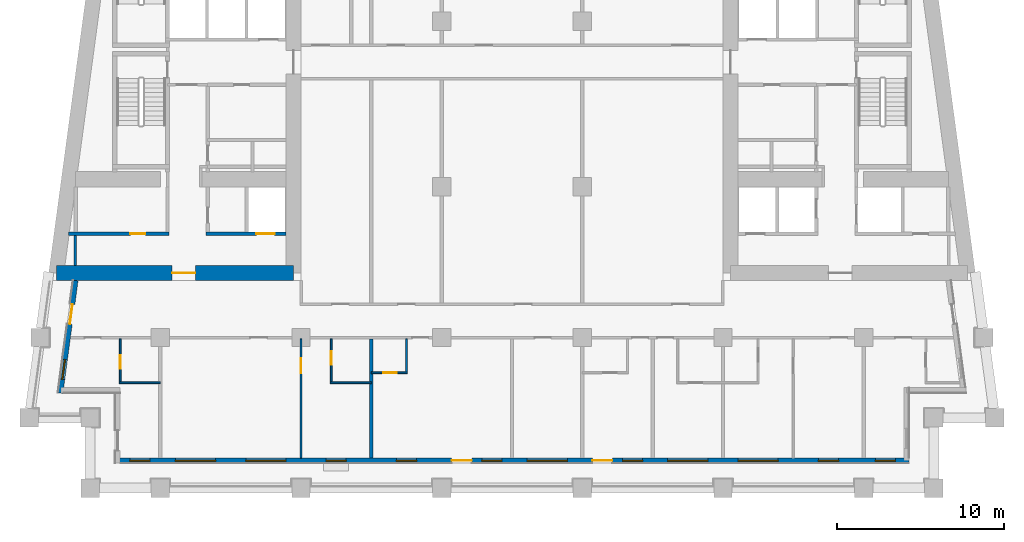
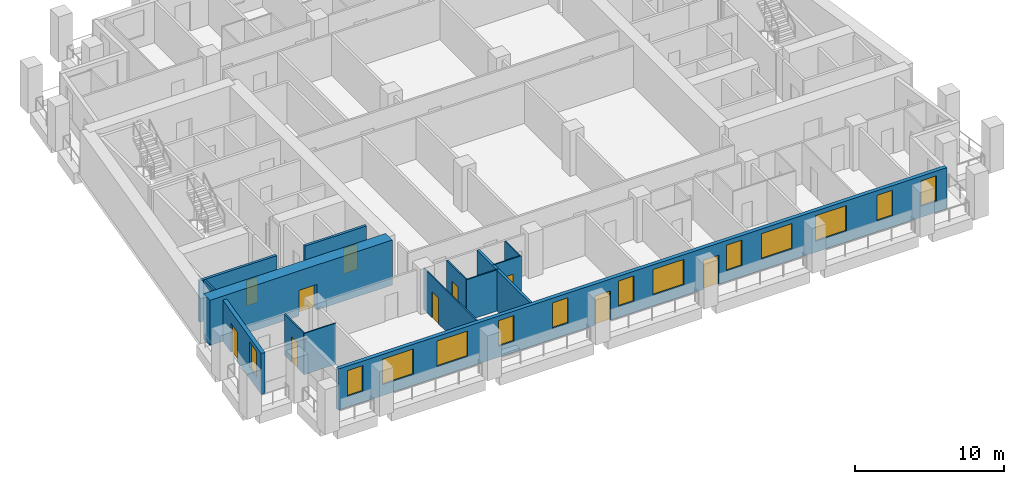
# One storey, part 2 of 12: 14 walls, 13 windows, 10 doors, 23 openings.
"""IFC4 building model written with IfcOpenShell, lengths in metres."""

from ifc_helpers import new_model, si_unit, direction, frame, frame_2d, origin, place, context, subcontext, project, spatial, rectangle, extrude, material, layer, layer_set, type_object, element, fill, save


model = new_model("IFC4")

# Units and contexts
model_context = context("Model", 3, precision=1e-05, world=origin(), true_north=direction((0.0, 1.0)))
body_context = subcontext(model_context, "Body", "Model", "MODEL_VIEW")
ifc_project = project(units=[si_unit("LENGTHUNIT", "METRE"), si_unit("AREAUNIT", "SQUARE_METRE"), si_unit("VOLUMEUNIT", "CUBIC_METRE"), si_unit("PLANEANGLEUNIT", "RADIAN"), si_unit("MASSUNIT", "GRAM", prefix="KILO")], contexts=[model_context])

# Site, building, storey
site_placement = place(None, origin())
site = spatial("IfcSite", under=ifc_project, at=site_placement, CompositionType="ELEMENT")
building_placement = place(site_placement, origin())
building = spatial("IfcBuilding", under=site, at=building_placement, Name="Candeia Pilgrim Tower and Theatre", CompositionType="ELEMENT")
storey_placement = place(building_placement, frame((0.0, 0.0, 184.800048828125)))
storey = spatial("IfcBuildingStorey", under=building, at=storey_placement, Name="L44", CompositionType="ELEMENT", Elevation=184.800048828125)

# Wall, opening, door
ifc_material_1 = material(Name="Concrete C60/75", Category="concrete")
ifc_layer_1 = layer(ifc_material_1, 0.89990234375)
ifc_layer_set_1 = layer_set([ifc_layer_1], Name="Core wall 900 C60/75")
wall_type_1 = type_object("IfcWallType", Name="Core wall 900 C60/75", PredefinedType="SHEAR", material=ifc_layer_set_1)
wall_1_placement = place(storey_placement, frame((100.35009765625, 110.85009765625, 0.0), z_axis=(0.0, 0.0, 1.0), x_axis=(-1.0, 0.0, 0.0)))
wall_1 = element("IfcWall", 1, at=wall_1_placement, inside=storey, type_object=wall_type_1, Name="Core wall W3", PredefinedType="SHEAR", context=body_context, shape_type="SweptSolid", body=[
    extrude(rectangle(XDim=14.166259765625, YDim=0.89990234375, at=frame_2d((7.0830078125, 0.0))), origin(), (0.0, 0.0, 1.0), 3.699951171875),
])
opening_1_placement = place(wall_1_placement, frame((5.854736328125, 0.0, 0.0)))
opening_1 = element("IfcOpeningElement", 2, at=opening_1_placement, cuts=wall_1, Name="Opening L44-D053", PredefinedType="OPENING", context=body_context, shape_type="SweptSolid", body=[
    extrude(rectangle(XDim=1.39990234375, YDim=2.10009765625, at=frame_2d((0.699951171875, 1.050048828125))), frame((0.0, 0.4599609375, 0.0), z_axis=(0.0, -1.0, 0.0), x_axis=(1.0, 0.0, 0.0)), (0.0, 0.0, 1.0), 0.919921875),
])
ifc_material_2 = material(Name="Steel fire door set", Category="steel")
door_type_1 = type_object("IfcDoorType", Name="D-1400-FD60", OperationType="NOTDEFINED", PredefinedType="DOOR", material=ifc_material_2)
door_1_placement = place(opening_1_placement, origin())
door_1 = element("IfcDoor", 3, at=door_1_placement, inside=storey, type_object=door_type_1, Name="Door L44-D053", OperationType="SINGLE_SWING_LEFT", OverallHeight=2.10009765625, OverallWidth=1.39990234375, PredefinedType="DOOR", context=body_context, shape_type="SweptSolid", body=[
    extrude(rectangle(XDim=1.39990234375, YDim=2.10009765625, at=frame_2d((0.699951171875, 1.050048828125))), frame((0.0, 0.02490234375, 0.0), z_axis=(0.0, -1.0, 0.0), x_axis=(1.0, 0.0, 0.0)), (0.0, 0.0, 1.0), 0.050048828125),
])
fill(opening_1, door_1)

# Wall, openings, doors, windows
ifc_material_3 = material(Name="Ceramic block masonry", Category="masonry")
ifc_layer_2 = layer(ifc_material_3, 0.300048828125)
ifc_layer_set_2 = layer_set([ifc_layer_2], Name="EW1 glazing-line wall 300")
wall_type_2 = type_object("IfcWallType", Name="EW1 glazing-line wall 300", PredefinedType="SOLIDWALL", material=ifc_layer_set_2)
wall_2_placement = place(storey_placement, frame((89.85009765625, 99.64990234375, 0.0), z_axis=(0.0, 0.0, 1.0), x_axis=(1.0, 0.0, 0.0)))
wall_2 = element("IfcWall", 4, at=wall_2_placement, inside=storey, type_object=wall_type_2, Name="External wall L44-0.0", PredefinedType="SOLIDWALL", context=body_context, shape_type="SweptSolid", body=[
    extrude(rectangle(XDim=47.25, YDim=0.300048828125, at=frame_2d((23.625, 0.0))), origin(), (0.0, 0.0, 1.0), 3.3798828125),
])
opening_2_placement = place(wall_2_placement, frame((0.72509765625, 0.0, 0.89990234375)))
opening_2 = element("IfcOpeningElement", 5, at=opening_2_placement, cuts=wall_2, Name="Opening W-B", PredefinedType="OPENING", context=body_context, shape_type="SweptSolid", body=[
    extrude(rectangle(XDim=1.199951171875, YDim=2.10009765625, at=frame_2d((0.60009765625, 1.050048828125))), frame((0.0, 0.16015625, 0.0), z_axis=(0.0, -1.0, 0.0), x_axis=(1.0, 0.0, 0.0)), (0.0, 0.0, 1.0), 0.320068359375),
])
opening_3_placement = place(wall_2_placement, frame((3.449951171875, 0.0, 0.89990234375)))
opening_3 = element("IfcOpeningElement", 6, at=opening_3_placement, cuts=wall_2, Name="Opening W-A", PredefinedType="OPENING", context=body_context, shape_type="SweptSolid", body=[
    extrude(rectangle(XDim=2.39990234375, YDim=2.10009765625, at=frame_2d((1.199951171875, 1.050048828125))), frame((0.0, 0.16015625, 0.0), z_axis=(0.0, -1.0, 0.0), x_axis=(1.0, 0.0, 0.0)), (0.0, 0.0, 1.0), 0.320068359375),
])
opening_4_placement = place(wall_2_placement, frame((7.64990234375, 0.0, 0.89990234375)))
opening_4 = element("IfcOpeningElement", 7, at=opening_4_placement, cuts=wall_2, Name="Opening W-A", PredefinedType="OPENING", context=body_context, shape_type="SweptSolid", body=[
    extrude(rectangle(XDim=2.39990234375, YDim=2.10009765625, at=frame_2d((1.199951171875, 1.050048828125))), frame((0.0, 0.16015625, 0.0), z_axis=(0.0, -1.0, 0.0), x_axis=(1.0, 0.0, 0.0)), (0.0, 0.0, 1.0), 0.320068359375),
])
opening_5_placement = place(wall_2_placement, frame((12.449951171875, 0.0, 0.89990234375)))
opening_5 = element("IfcOpeningElement", 8, at=opening_5_placement, cuts=wall_2, Name="Opening W-B", PredefinedType="OPENING", context=body_context, shape_type="SweptSolid", body=[
    extrude(rectangle(XDim=1.199951171875, YDim=2.10009765625, at=frame_2d((0.60009765625, 1.050048828125))), frame((0.0, 0.16015625, 0.0), z_axis=(0.0, -1.0, 0.0), x_axis=(1.0, 0.0, 0.0)), (0.0, 0.0, 1.0), 0.320068359375),
])
opening_6_placement = place(wall_2_placement, frame((16.64990234375, 0.0, 0.89990234375)))
opening_6 = element("IfcOpeningElement", 9, at=opening_6_placement, cuts=wall_2, Name="Opening W-B", PredefinedType="OPENING", context=body_context, shape_type="SweptSolid", body=[
    extrude(rectangle(XDim=1.199951171875, YDim=2.10009765625, at=frame_2d((0.60009765625, 1.050048828125))), frame((0.0, 0.16015625, 0.0), z_axis=(0.0, -1.0, 0.0), x_axis=(1.0, 0.0, 0.0)), (0.0, 0.0, 1.0), 0.320068359375),
])
opening_7_placement = place(wall_2_placement, frame((19.949951171875, 0.0, 0.0)))
opening_7 = element("IfcOpeningElement", 10, at=opening_7_placement, cuts=wall_2, Name="Opening L44-ED420", PredefinedType="OPENING", context=body_context, shape_type="SweptSolid", body=[
    extrude(rectangle(XDim=1.199951171875, YDim=2.39990234375, at=frame_2d((0.60009765625, 1.199951171875))), frame((0.0, 0.16015625, 0.0), z_axis=(0.0, -1.0, 0.0), x_axis=(1.0, 0.0, 0.0)), (0.0, 0.0, 1.0), 0.320068359375),
])
opening_8_placement = place(wall_2_placement, frame((21.75, 0.0, 0.89990234375)))
opening_8 = element("IfcOpeningElement", 11, at=opening_8_placement, cuts=wall_2, Name="Opening W-B", PredefinedType="OPENING", context=body_context, shape_type="SweptSolid", body=[
    extrude(rectangle(XDim=1.199951171875, YDim=2.10009765625, at=frame_2d((0.60009765625, 1.050048828125))), frame((0.0, 0.16015625, 0.0), z_axis=(0.0, -1.0, 0.0), x_axis=(1.0, 0.0, 0.0)), (0.0, 0.0, 1.0), 0.320068359375),
])
opening_9_placement = place(wall_2_placement, frame((24.449951171875, 0.0, 0.89990234375)))
opening_9 = element("IfcOpeningElement", 12, at=opening_9_placement, cuts=wall_2, Name="Opening W-A", PredefinedType="OPENING", context=body_context, shape_type="SweptSolid", body=[
    extrude(rectangle(XDim=2.39990234375, YDim=2.10009765625, at=frame_2d((1.199951171875, 1.050048828125))), frame((0.0, 0.16015625, 0.0), z_axis=(0.0, -1.0, 0.0), x_axis=(1.0, 0.0, 0.0)), (0.0, 0.0, 1.0), 0.320068359375),
])
opening_10_placement = place(wall_2_placement, frame((28.35009765625, 0.0, 0.0)))
opening_10 = element("IfcOpeningElement", 13, at=opening_10_placement, cuts=wall_2, Name="Opening L44-ED421", PredefinedType="OPENING", context=body_context, shape_type="SweptSolid", body=[
    extrude(rectangle(XDim=1.199951171875, YDim=2.39990234375, at=frame_2d((0.60009765625, 1.199951171875))), frame((0.0, 0.16015625, 0.0), z_axis=(0.0, -1.0, 0.0), x_axis=(1.0, 0.0, 0.0)), (0.0, 0.0, 1.0), 0.320068359375),
])
opening_11_placement = place(wall_2_placement, frame((30.14990234375, 0.0, 0.89990234375)))
opening_11 = element("IfcOpeningElement", 14, at=opening_11_placement, cuts=wall_2, Name="Opening W-B", PredefinedType="OPENING", context=body_context, shape_type="SweptSolid", body=[
    extrude(rectangle(XDim=1.199951171875, YDim=2.10009765625, at=frame_2d((0.60009765625, 1.050048828125))), frame((0.0, 0.16015625, 0.0), z_axis=(0.0, -1.0, 0.0), x_axis=(1.0, 0.0, 0.0)), (0.0, 0.0, 1.0), 0.320068359375),
])
opening_12_placement = place(wall_2_placement, frame((32.85009765625, 0.0, 0.89990234375)))
opening_12 = element("IfcOpeningElement", 15, at=opening_12_placement, cuts=wall_2, Name="Opening W-A", PredefinedType="OPENING", context=body_context, shape_type="SweptSolid", body=[
    extrude(rectangle(XDim=2.39990234375, YDim=2.10009765625, at=frame_2d((1.199951171875, 1.050048828125))), frame((0.0, 0.16015625, 0.0), z_axis=(0.0, -1.0, 0.0), x_axis=(1.0, 0.0, 0.0)), (0.0, 0.0, 1.0), 0.320068359375),
])
opening_13_placement = place(wall_2_placement, frame((37.050048828125, 0.0, 0.89990234375)))
opening_13 = element("IfcOpeningElement", 16, at=opening_13_placement, cuts=wall_2, Name="Opening W-A", PredefinedType="OPENING", context=body_context, shape_type="SweptSolid", body=[
    extrude(rectangle(XDim=2.39990234375, YDim=2.10009765625, at=frame_2d((1.199951171875, 1.050048828125))), frame((0.0, 0.16015625, 0.0), z_axis=(0.0, -1.0, 0.0), x_axis=(1.0, 0.0, 0.0)), (0.0, 0.0, 1.0), 0.320068359375),
])
opening_14_placement = place(wall_2_placement, frame((41.85009765625, 0.0, 0.89990234375)))
opening_14 = element("IfcOpeningElement", 17, at=opening_14_placement, cuts=wall_2, Name="Opening W-B", PredefinedType="OPENING", context=body_context, shape_type="SweptSolid", body=[
    extrude(rectangle(XDim=1.199951171875, YDim=2.10009765625, at=frame_2d((0.60009765625, 1.050048828125))), frame((0.0, 0.16015625, 0.0), z_axis=(0.0, -1.0, 0.0), x_axis=(1.0, 0.0, 0.0)), (0.0, 0.0, 1.0), 0.320068359375),
])
opening_15_placement = place(wall_2_placement, frame((45.25, 0.0, 0.89990234375)))
opening_15 = element("IfcOpeningElement", 18, at=opening_15_placement, cuts=wall_2, Name="Opening W-B", PredefinedType="OPENING", context=body_context, shape_type="SweptSolid", body=[
    extrude(rectangle(XDim=1.199951171875, YDim=2.10009765625, at=frame_2d((0.60009765625, 1.050048828125))), frame((0.0, 0.16015625, 0.0), z_axis=(0.0, -1.0, 0.0), x_axis=(1.0, 0.0, 0.0)), (0.0, 0.0, 1.0), 0.320068359375),
])
ifc_material_4 = material(Name="Aluminium framed glazed door", Category="aluminium")
door_type_2 = type_object("IfcDoorType", Name="Loggia door 1200x2400", OperationType="DOUBLE_DOOR_SINGLE_SWING", PredefinedType="DOOR", material=ifc_material_4)
door_2_placement = place(opening_7_placement, origin())
door_2 = element("IfcDoor", 19, at=door_2_placement, inside=storey, type_object=door_type_2, Name="Loggia door L44-ED420", OperationType="DOUBLE_DOOR_SINGLE_SWING", OverallHeight=2.39990234375, OverallWidth=1.199951171875, PredefinedType="DOOR", context=body_context, shape_type="SweptSolid", body=[
    extrude(rectangle(XDim=1.199951171875, YDim=2.39990234375, at=frame_2d((0.60009765625, 1.199951171875))), frame((0.0, 0.02490234375, 0.0), z_axis=(0.0, -1.0, 0.0), x_axis=(1.0, 0.0, 0.0)), (0.0, 0.0, 1.0), 0.050048828125),
])
fill(opening_7, door_2)
door_3_placement = place(opening_10_placement, origin())
door_3 = element("IfcDoor", 20, at=door_3_placement, inside=storey, type_object=door_type_2, Name="Loggia door L44-ED421", OperationType="DOUBLE_DOOR_SINGLE_SWING", OverallHeight=2.39990234375, OverallWidth=1.199951171875, PredefinedType="DOOR", context=body_context, shape_type="SweptSolid", body=[
    extrude(rectangle(XDim=1.199951171875, YDim=2.39990234375, at=frame_2d((0.60009765625, 1.199951171875))), frame((0.0, 0.02490234375, 0.0), z_axis=(0.0, -1.0, 0.0), x_axis=(1.0, 0.0, 0.0)), (0.0, 0.0, 1.0), 0.050048828125),
])
fill(opening_10, door_3)
ifc_material_5 = material(Name="Aluminium framed double glazing", Category="aluminium")
window_type_1 = type_object("IfcWindowType", Name="W-A window 2400x2100", PartitioningType="DOUBLE_PANEL_VERTICAL", PredefinedType="WINDOW", material=ifc_material_5)
window_1_placement = place(opening_3_placement, origin())
window_1 = element("IfcWindow", 21, at=window_1_placement, inside=storey, type_object=window_type_1, Name="Window W-A L44", OverallHeight=2.10009765625, OverallWidth=2.39990234375, PartitioningType="SINGLE_PANEL", PredefinedType="WINDOW", context=body_context, shape_type="SweptSolid", body=[
    extrude(rectangle(XDim=2.39990234375, YDim=2.10009765625, at=frame_2d((1.199951171875, 1.050048828125))), frame((0.0, 0.030029296875, 0.0), z_axis=(0.0, -1.0, 0.0), x_axis=(1.0, 0.0, 0.0)), (0.0, 0.0, 1.0), 0.06005859375),
])
fill(opening_3, window_1)
window_2_placement = place(opening_4_placement, origin())
window_2 = element("IfcWindow", 22, at=window_2_placement, inside=storey, type_object=window_type_1, Name="Window W-A L44", OverallHeight=2.10009765625, OverallWidth=2.39990234375, PartitioningType="SINGLE_PANEL", PredefinedType="WINDOW", context=body_context, shape_type="SweptSolid", body=[
    extrude(rectangle(XDim=2.39990234375, YDim=2.10009765625, at=frame_2d((1.199951171875, 1.050048828125))), frame((0.0, 0.030029296875, 0.0), z_axis=(0.0, -1.0, 0.0), x_axis=(1.0, 0.0, 0.0)), (0.0, 0.0, 1.0), 0.06005859375),
])
fill(opening_4, window_2)
window_3_placement = place(opening_9_placement, origin())
window_3 = element("IfcWindow", 23, at=window_3_placement, inside=storey, type_object=window_type_1, Name="Window W-A L44", OverallHeight=2.10009765625, OverallWidth=2.39990234375, PartitioningType="SINGLE_PANEL", PredefinedType="WINDOW", context=body_context, shape_type="SweptSolid", body=[
    extrude(rectangle(XDim=2.39990234375, YDim=2.10009765625, at=frame_2d((1.199951171875, 1.050048828125))), frame((0.0, 0.030029296875, 0.0), z_axis=(0.0, -1.0, 0.0), x_axis=(1.0, 0.0, 0.0)), (0.0, 0.0, 1.0), 0.06005859375),
])
fill(opening_9, window_3)
window_4_placement = place(opening_12_placement, origin())
window_4 = element("IfcWindow", 24, at=window_4_placement, inside=storey, type_object=window_type_1, Name="Window W-A L44", OverallHeight=2.10009765625, OverallWidth=2.39990234375, PartitioningType="SINGLE_PANEL", PredefinedType="WINDOW", context=body_context, shape_type="SweptSolid", body=[
    extrude(rectangle(XDim=2.39990234375, YDim=2.10009765625, at=frame_2d((1.199951171875, 1.050048828125))), frame((0.0, 0.030029296875, 0.0), z_axis=(0.0, -1.0, 0.0), x_axis=(1.0, 0.0, 0.0)), (0.0, 0.0, 1.0), 0.06005859375),
])
fill(opening_12, window_4)
window_5_placement = place(opening_13_placement, origin())
window_5 = element("IfcWindow", 25, at=window_5_placement, inside=storey, type_object=window_type_1, Name="Window W-A L44", OverallHeight=2.10009765625, OverallWidth=2.39990234375, PartitioningType="SINGLE_PANEL", PredefinedType="WINDOW", context=body_context, shape_type="SweptSolid", body=[
    extrude(rectangle(XDim=2.39990234375, YDim=2.10009765625, at=frame_2d((1.199951171875, 1.050048828125))), frame((0.0, 0.030029296875, 0.0), z_axis=(0.0, -1.0, 0.0), x_axis=(1.0, 0.0, 0.0)), (0.0, 0.0, 1.0), 0.06005859375),
])
fill(opening_13, window_5)
window_type_2 = type_object("IfcWindowType", Name="W-B window 1200x2100", PartitioningType="SINGLE_PANEL", PredefinedType="WINDOW", material=ifc_material_5)
window_6_placement = place(opening_2_placement, origin())
window_6 = element("IfcWindow", 26, at=window_6_placement, inside=storey, type_object=window_type_2, Name="Window W-B L44", OverallHeight=2.10009765625, OverallWidth=1.199951171875, PartitioningType="SINGLE_PANEL", PredefinedType="WINDOW", context=body_context, shape_type="SweptSolid", body=[
    extrude(rectangle(XDim=1.199951171875, YDim=2.10009765625, at=frame_2d((0.60009765625, 1.050048828125))), frame((0.0, 0.030029296875, 0.0), z_axis=(0.0, -1.0, 0.0), x_axis=(1.0, 0.0, 0.0)), (0.0, 0.0, 1.0), 0.06005859375),
])
fill(opening_2, window_6)
window_7_placement = place(opening_5_placement, origin())
window_7 = element("IfcWindow", 27, at=window_7_placement, inside=storey, type_object=window_type_2, Name="Window W-B L44", OverallHeight=2.10009765625, OverallWidth=1.199951171875, PartitioningType="SINGLE_PANEL", PredefinedType="WINDOW", context=body_context, shape_type="SweptSolid", body=[
    extrude(rectangle(XDim=1.199951171875, YDim=2.10009765625, at=frame_2d((0.60009765625, 1.050048828125))), frame((0.0, 0.030029296875, 0.0), z_axis=(0.0, -1.0, 0.0), x_axis=(1.0, 0.0, 0.0)), (0.0, 0.0, 1.0), 0.06005859375),
])
fill(opening_5, window_7)
window_8_placement = place(opening_6_placement, origin())
window_8 = element("IfcWindow", 28, at=window_8_placement, inside=storey, type_object=window_type_2, Name="Window W-B L44", OverallHeight=2.10009765625, OverallWidth=1.199951171875, PartitioningType="SINGLE_PANEL", PredefinedType="WINDOW", context=body_context, shape_type="SweptSolid", body=[
    extrude(rectangle(XDim=1.199951171875, YDim=2.10009765625, at=frame_2d((0.60009765625, 1.050048828125))), frame((0.0, 0.030029296875, 0.0), z_axis=(0.0, -1.0, 0.0), x_axis=(1.0, 0.0, 0.0)), (0.0, 0.0, 1.0), 0.06005859375),
])
fill(opening_6, window_8)
window_9_placement = place(opening_8_placement, origin())
window_9 = element("IfcWindow", 29, at=window_9_placement, inside=storey, type_object=window_type_2, Name="Window W-B L44", OverallHeight=2.10009765625, OverallWidth=1.199951171875, PartitioningType="SINGLE_PANEL", PredefinedType="WINDOW", context=body_context, shape_type="SweptSolid", body=[
    extrude(rectangle(XDim=1.199951171875, YDim=2.10009765625, at=frame_2d((0.60009765625, 1.050048828125))), frame((0.0, 0.030029296875, 0.0), z_axis=(0.0, -1.0, 0.0), x_axis=(1.0, 0.0, 0.0)), (0.0, 0.0, 1.0), 0.06005859375),
])
fill(opening_8, window_9)
window_10_placement = place(opening_11_placement, origin())
window_10 = element("IfcWindow", 30, at=window_10_placement, inside=storey, type_object=window_type_2, Name="Window W-B L44", OverallHeight=2.10009765625, OverallWidth=1.199951171875, PartitioningType="SINGLE_PANEL", PredefinedType="WINDOW", context=body_context, shape_type="SweptSolid", body=[
    extrude(rectangle(XDim=1.199951171875, YDim=2.10009765625, at=frame_2d((0.60009765625, 1.050048828125))), frame((0.0, 0.030029296875, 0.0), z_axis=(0.0, -1.0, 0.0), x_axis=(1.0, 0.0, 0.0)), (0.0, 0.0, 1.0), 0.06005859375),
])
fill(opening_11, window_10)
window_11_placement = place(opening_14_placement, origin())
window_11 = element("IfcWindow", 31, at=window_11_placement, inside=storey, type_object=window_type_2, Name="Window W-B L44", OverallHeight=2.10009765625, OverallWidth=1.199951171875, PartitioningType="SINGLE_PANEL", PredefinedType="WINDOW", context=body_context, shape_type="SweptSolid", body=[
    extrude(rectangle(XDim=1.199951171875, YDim=2.10009765625, at=frame_2d((0.60009765625, 1.050048828125))), frame((0.0, 0.030029296875, 0.0), z_axis=(0.0, -1.0, 0.0), x_axis=(1.0, 0.0, 0.0)), (0.0, 0.0, 1.0), 0.06005859375),
])
fill(opening_14, window_11)
window_12_placement = place(opening_15_placement, origin())
window_12 = element("IfcWindow", 32, at=window_12_placement, inside=storey, type_object=window_type_2, Name="Window W-B L44", OverallHeight=2.10009765625, OverallWidth=1.199951171875, PartitioningType="SINGLE_PANEL", PredefinedType="WINDOW", context=body_context, shape_type="SweptSolid", body=[
    extrude(rectangle(XDim=1.199951171875, YDim=2.10009765625, at=frame_2d((0.60009765625, 1.050048828125))), frame((0.0, 0.030029296875, 0.0), z_axis=(0.0, -1.0, 0.0), x_axis=(1.0, 0.0, 0.0)), (0.0, 0.0, 1.0), 0.06005859375),
])
fill(opening_15, window_12)

# Wall, openings, door, window
wall_3_placement = place(storey_placement, frame((87.334228515625, 110.39990234375, 0.0), z_axis=(0.0, 0.0, 1.0), x_axis=(-0.133437175554, -0.991057273915, 0.0)))
wall_3 = element("IfcWall", 33, at=wall_3_placement, inside=storey, type_object=wall_type_2, Name="External wall L44-9.1", PredefinedType="SOLIDWALL", context=body_context, shape_type="SweptSolid", body=[
    extrude(rectangle(XDim=6.780517578125, YDim=0.300048828125, at=frame_2d((3.39013671875, 0.0))), origin(), (0.0, 0.0, 1.0), 3.3798828125),
])
opening_16_placement = place(wall_3_placement, frame((1.41796875, 0.0, 0.0)))
opening_16 = element("IfcOpeningElement", 34, at=opening_16_placement, cuts=wall_3, Name="Opening L44-ED428", PredefinedType="OPENING", context=body_context, shape_type="SweptSolid", body=[
    extrude(rectangle(XDim=1.199951171875, YDim=2.39990234375, at=frame_2d((0.60009765625, 1.199951171875))), frame((0.0, 0.16015625, 0.0), z_axis=(0.0, -1.0, 0.0), x_axis=(1.0, 0.0, 0.0)), (0.0, 0.0, 1.0), 0.320068359375),
])
opening_17_placement = place(wall_3_placement, frame((4.75830078125, 0.0, 0.89990234375)))
opening_17 = element("IfcOpeningElement", 35, at=opening_17_placement, cuts=wall_3, Name="Opening W-B", PredefinedType="OPENING", context=body_context, shape_type="SweptSolid", body=[
    extrude(rectangle(XDim=1.199951171875, YDim=2.10009765625, at=frame_2d((0.60009765625, 1.050048828125))), frame((0.0, 0.16015625, 0.0), z_axis=(0.0, -1.0, 0.0), x_axis=(1.0, 0.0, 0.0)), (0.0, 0.0, 1.0), 0.320068359375),
])
door_4_placement = place(opening_16_placement, origin())
door_4 = element("IfcDoor", 36, at=door_4_placement, inside=storey, type_object=door_type_2, Name="Loggia door L44-ED428", OperationType="DOUBLE_DOOR_SINGLE_SWING", OverallHeight=2.39990234375, OverallWidth=1.199951171875, PredefinedType="DOOR", context=body_context, shape_type="SweptSolid", body=[
    extrude(rectangle(XDim=1.199951171875, YDim=2.39990234375, at=frame_2d((0.60009765625, 1.199951171875))), frame((0.0, 0.02490234375, 0.0), z_axis=(0.0, -1.0, 0.0), x_axis=(1.0, 0.0, 0.0)), (0.0, 0.0, 1.0), 0.050048828125),
])
fill(opening_16, door_4)
window_13_placement = place(opening_17_placement, origin())
window_13 = element("IfcWindow", 37, at=window_13_placement, inside=storey, type_object=window_type_2, Name="Window W-B L44", OverallHeight=2.10009765625, OverallWidth=1.199951171875, PartitioningType="SINGLE_PANEL", PredefinedType="WINDOW", context=body_context, shape_type="SweptSolid", body=[
    extrude(rectangle(XDim=1.199951171875, YDim=2.10009765625, at=frame_2d((0.60009765625, 1.050048828125))), frame((0.0, 0.030029296875, 0.0), z_axis=(0.0, -1.0, 0.0), x_axis=(1.0, 0.0, 0.0)), (0.0, 0.0, 1.0), 0.06005859375),
])
fill(opening_17, window_13)

# Walls
ifc_material_6 = material(Name="Gypsum board partition on steel studs", Category="steel")
ifc_layer_3 = layer(ifc_material_6, 0.10009765625)
ifc_layer_set_3 = layer_set([ifc_layer_3], Name="PW-100 room partition")
wall_type_3 = type_object("IfcWallType", Name="PW-100 room partition", PredefinedType="PARTITIONING", material=ifc_layer_set_3)
for number, where, z_axis, x_axis, name in (
    (38, (89.949951171875, 104.300048828125, 0.0), (0.0, 0.0, 1.0), (1.0, 0.0, 0.0), "Room partition L44-001"),
    (39, (102.550048828125, 104.300048828125, 0.0), (0.0, 0.0, 1.0), (1.0, 0.0, 0.0), "Room partition L44-002"),
):
    element("IfcWall", number, at=place(storey_placement, frame(where, z_axis=z_axis, x_axis=x_axis)), inside=storey, type_object=wall_type_3, Name=name, PredefinedType="PARTITIONING", context=body_context, shape_type="SweptSolid", body=[
        extrude(rectangle(XDim=2.449951171875, YDim=0.10009765625, at=frame_2d((1.22509765625, 0.0))), origin(), (0.0, 0.0, 1.0), 3.3798828125),
    ])

# Wall, opening, door
wall_4_placement = place(storey_placement, frame((105.0, 104.89990234375, 0.0), z_axis=(0.0, 0.0, 1.0), x_axis=(1.0, 0.0, 0.0)))
wall_4 = element("IfcWall", 40, at=wall_4_placement, inside=storey, type_object=wall_type_3, Name="Room partition L44-005", PredefinedType="PARTITIONING", context=body_context, shape_type="SweptSolid", body=[
    extrude(rectangle(XDim=2.14990234375, YDim=0.10009765625, at=frame_2d((1.074951171875, 0.0))), origin(), (0.0, 0.0, 1.0), 3.3798828125),
])
opening_18_placement = place(wall_4_placement, frame((0.7099609375, 0.0, 0.0)))
opening_18 = element("IfcOpeningElement", 41, at=opening_18_placement, cuts=wall_4, Name="Opening L44-D020", PredefinedType="OPENING", context=body_context, shape_type="SweptSolid", body=[
    extrude(rectangle(XDim=0.800048828125, YDim=2.10009765625, at=frame_2d((0.39990234375, 1.050048828125))), frame((0.0, 0.06005859375, 0.0), z_axis=(0.0, -1.0, 0.0), x_axis=(1.0, 0.0, 0.0)), (0.0, 0.0, 1.0), 0.1201171875),
])
ifc_material_7 = material(Name="Timber door leaf", Category="wood")
door_type_3 = type_object("IfcDoorType", Name="D-800", OperationType="NOTDEFINED", PredefinedType="DOOR", material=ifc_material_7)
door_5_placement = place(opening_18_placement, origin())
door_5 = element("IfcDoor", 42, at=door_5_placement, inside=storey, type_object=door_type_3, Name="Door L44-D020", OperationType="SINGLE_SWING_RIGHT", OverallHeight=2.10009765625, OverallWidth=0.800048828125, PredefinedType="DOOR", context=body_context, shape_type="SweptSolid", body=[
    extrude(rectangle(XDim=0.800048828125, YDim=2.10009765625, at=frame_2d((0.39990234375, 1.050048828125))), frame((0.0, 0.02490234375, 0.0), z_axis=(0.0, -1.0, 0.0), x_axis=(1.0, 0.0, 0.0)), (0.0, 0.0, 1.0), 0.050048828125),
])
fill(opening_18, door_5)

wall_5_placement = place(storey_placement, frame((90.0, 104.35009765625, 0.0), z_axis=(0.0, 0.0, 1.0), x_axis=(0.0, 1.0, 0.0)))
wall_5 = element("IfcWall", 43, at=wall_5_placement, inside=storey, type_object=wall_type_3, Name="Room partition L44-051", PredefinedType="PARTITIONING", context=body_context, shape_type="SweptSolid", body=[
    extrude(rectangle(XDim=2.574951171875, YDim=0.10009765625, at=frame_2d((1.28759765625, 0.0))), origin(), (0.0, 0.0, 1.0), 3.3798828125),
])
opening_19_placement = place(wall_5_placement, frame((0.780029296875, 0.0, 0.0)))
opening_19 = element("IfcOpeningElement", 44, at=opening_19_placement, cuts=wall_5, Name="Opening L44-D015", PredefinedType="OPENING", context=body_context, shape_type="SweptSolid", body=[
    extrude(rectangle(XDim=0.800048828125, YDim=2.10009765625, at=frame_2d((0.39990234375, 1.050048828125))), frame((0.0, 0.06005859375, 0.0), z_axis=(0.0, -1.0, 0.0), x_axis=(1.0, 0.0, 0.0)), (0.0, 0.0, 1.0), 0.1201171875),
])
door_6_placement = place(opening_19_placement, origin())
door_6 = element("IfcDoor", 45, at=door_6_placement, inside=storey, type_object=door_type_3, Name="Door L44-D015", OperationType="SINGLE_SWING_LEFT", OverallHeight=2.10009765625, OverallWidth=0.800048828125, PredefinedType="DOOR", context=body_context, shape_type="SweptSolid", body=[
    extrude(rectangle(XDim=0.800048828125, YDim=2.10009765625, at=frame_2d((0.39990234375, 1.050048828125))), frame((0.0, 0.02490234375, 0.0), z_axis=(0.0, -1.0, 0.0), x_axis=(1.0, 0.0, 0.0)), (0.0, 0.0, 1.0), 0.050048828125),
])
fill(opening_19, door_6)

wall_6_placement = place(storey_placement, frame((100.800048828125, 99.7900390625, 0.0), z_axis=(0.0, 0.0, 1.0), x_axis=(0.0, 1.0, 0.0)))
wall_6 = element("IfcWall", 46, at=wall_6_placement, inside=storey, type_object=wall_type_3, Name="Room partition L44-067", PredefinedType="PARTITIONING", context=body_context, shape_type="SweptSolid", body=[
    extrude(rectangle(XDim=7.135009765625, YDim=0.10009765625, at=frame_2d((3.5673828125, 0.0))), origin(), (0.0, 0.0, 1.0), 3.3798828125),
])
opening_20_placement = place(wall_6_placement, frame((5.074951171875, 0.0, 0.0)))
opening_20 = element("IfcOpeningElement", 47, at=opening_20_placement, cuts=wall_6, Name="Opening L44-D017", PredefinedType="OPENING", context=body_context, shape_type="SweptSolid", body=[
    extrude(rectangle(XDim=0.89990234375, YDim=2.10009765625, at=frame_2d((0.449951171875, 1.050048828125))), frame((0.0, 0.06005859375, 0.0), z_axis=(0.0, -1.0, 0.0), x_axis=(1.0, 0.0, 0.0)), (0.0, 0.0, 1.0), 0.1201171875),
])
door_type_4 = type_object("IfcDoorType", Name="D-900", OperationType="NOTDEFINED", PredefinedType="DOOR", material=ifc_material_7)
door_7_placement = place(opening_20_placement, origin())
door_7 = element("IfcDoor", 48, at=door_7_placement, inside=storey, type_object=door_type_4, Name="Door L44-D017", OperationType="SINGLE_SWING_LEFT", OverallHeight=2.10009765625, OverallWidth=0.89990234375, PredefinedType="DOOR", context=body_context, shape_type="SweptSolid", body=[
    extrude(rectangle(XDim=0.89990234375, YDim=2.10009765625, at=frame_2d((0.449951171875, 1.050048828125))), frame((0.0, 0.02490234375, 0.0), z_axis=(0.0, -1.0, 0.0), x_axis=(1.0, 0.0, 0.0)), (0.0, 0.0, 1.0), 0.050048828125),
])
fill(opening_20, door_7)

wall_7_placement = place(storey_placement, frame((102.60009765625, 104.35009765625, 0.0), z_axis=(0.0, 0.0, 1.0), x_axis=(0.0, 1.0, 0.0)))
wall_7 = element("IfcWall", 49, at=wall_7_placement, inside=storey, type_object=wall_type_3, Name="Room partition L44-071", PredefinedType="PARTITIONING", context=body_context, shape_type="SweptSolid", body=[
    extrude(rectangle(XDim=2.574951171875, YDim=0.10009765625, at=frame_2d((1.28759765625, 0.0))), origin(), (0.0, 0.0, 1.0), 3.3798828125),
])
opening_21_placement = place(wall_7_placement, frame((1.02001953125, 0.0, 0.0)))
opening_21 = element("IfcOpeningElement", 50, at=opening_21_placement, cuts=wall_7, Name="Opening L44-D018", PredefinedType="OPENING", context=body_context, shape_type="SweptSolid", body=[
    extrude(rectangle(XDim=0.800048828125, YDim=2.10009765625, at=frame_2d((0.39990234375, 1.050048828125))), frame((0.0, 0.06005859375, 0.0), z_axis=(0.0, -1.0, 0.0), x_axis=(1.0, 0.0, 0.0)), (0.0, 0.0, 1.0), 0.1201171875),
])
door_8_placement = place(opening_21_placement, origin())
door_8 = element("IfcDoor", 51, at=door_8_placement, inside=storey, type_object=door_type_3, Name="Door L44-D018", OperationType="SINGLE_SWING_RIGHT", OverallHeight=2.10009765625, OverallWidth=0.800048828125, PredefinedType="DOOR", context=body_context, shape_type="SweptSolid", body=[
    extrude(rectangle(XDim=0.800048828125, YDim=2.10009765625, at=frame_2d((0.39990234375, 1.050048828125))), frame((0.0, 0.02490234375, 0.0), z_axis=(0.0, -1.0, 0.0), x_axis=(1.0, 0.0, 0.0)), (0.0, 0.0, 1.0), 0.050048828125),
])
fill(opening_21, door_8)

# Walls
wall_8_placement = place(storey_placement, frame((107.10009765625, 104.949951171875, 0.0), z_axis=(0.0, 0.0, 1.0), x_axis=(0.0, 1.0, 0.0)))
element("IfcWall", 52, at=wall_8_placement, inside=storey, type_object=wall_type_3, Name="Room partition L44-079", PredefinedType="PARTITIONING", context=body_context, shape_type="SweptSolid", body=[
    extrude(rectangle(XDim=1.97509765625, YDim=0.10009765625, at=frame_2d((0.987548828125, 0.0))), origin(), (0.0, 0.0, 1.0), 3.3798828125),
])
ifc_layer_4 = layer(ifc_material_6, 0.14990234375)
ifc_layer_set_4 = layer_set([ifc_layer_4], Name="PW-150 lobby wall")
wall_type_4 = type_object("IfcWallType", Name="PW-150 lobby wall", PredefinedType="PARTITIONING", material=ifc_layer_set_4)
wall_9_placement = place(storey_placement, frame((87.327880859375, 111.300048828125, 0.0), z_axis=(0.0, 0.0, 1.0), x_axis=(0.0, 1.0, 0.0)))
element("IfcWall", 53, at=wall_9_placement, inside=storey, type_object=wall_type_4, Name="Lobby wall L44-048", PredefinedType="PARTITIONING", context=body_context, shape_type="SweptSolid", body=[
    extrude(rectangle(XDim=1.800048828125, YDim=0.14990234375, at=frame_2d((0.89990234375, 0.0))), origin(), (0.0, 0.0, 1.0), 3.3798828125),
])
ifc_layer_5 = layer(ifc_material_6, 0.199951171875)
ifc_layer_set_5 = layer_set([ifc_layer_5], Name="PW-200 party wall")
wall_type_5 = type_object("IfcWallType", Name="PW-200 party wall", PredefinedType="PARTITIONING", material=ifc_layer_set_5)
wall_10_placement = place(storey_placement, frame((105.0, 99.7900390625, 0.0), z_axis=(0.0, 0.0, 1.0), x_axis=(0.0, 1.0, 0.0)))
element("IfcWall", 54, at=wall_10_placement, inside=storey, type_object=wall_type_5, Name="Party wall L44-074", PredefinedType="PARTITIONING", context=body_context, shape_type="SweptSolid", body=[
    extrude(rectangle(XDim=7.135009765625, YDim=0.199951171875, at=frame_2d((3.5673828125, 0.0))), origin(), (0.0, 0.0, 1.0), 3.3798828125),
])

# Wall, opening, door
ifc_material_8 = material(Name="Concrete C40/50", Category="concrete")
ifc_layer_6 = layer(ifc_material_8, 0.199951171875)
ifc_layer_set_6 = layer_set([ifc_layer_6], Name="SW-200 shaft wall")
wall_type_6 = type_object("IfcWallType", Name="SW-200 shaft wall", PredefinedType="PARTITIONING", material=ifc_layer_set_6)
wall_11_placement = place(storey_placement, frame((86.92431640625, 113.199951171875, 0.0), z_axis=(0.0, 0.0, 1.0), x_axis=(1.0, 0.0, 0.0)))
wall_11 = element("IfcWall", 55, at=wall_11_placement, inside=storey, type_object=wall_type_6, Name="Shaft wall L44-009", PredefinedType="PARTITIONING", context=body_context, shape_type="SweptSolid", body=[
    extrude(rectangle(XDim=6.002685546875, YDim=0.199951171875, at=frame_2d((3.00146484375, 0.0))), origin(), (0.0, 0.0, 1.0), 3.3798828125),
])
opening_22_placement = place(wall_11_placement, frame((3.677734375, 0.0, 0.0)))
opening_22 = element("IfcOpeningElement", 56, at=opening_22_placement, cuts=wall_11, Name="Opening L44-D006", PredefinedType="OPENING", context=body_context, shape_type="SweptSolid", body=[
    extrude(rectangle(XDim=0.89990234375, YDim=2.10009765625, at=frame_2d((0.449951171875, 1.050048828125))), frame((0.0, 0.10986328125, 0.0), z_axis=(0.0, -1.0, 0.0), x_axis=(1.0, 0.0, 0.0)), (0.0, 0.0, 1.0), 0.219970703125),
])
door_type_5 = type_object("IfcDoorType", Name="D-900-FD60", OperationType="NOTDEFINED", PredefinedType="DOOR", material=ifc_material_2)
door_9_placement = place(opening_22_placement, origin())
door_9 = element("IfcDoor", 57, at=door_9_placement, inside=storey, type_object=door_type_5, Name="Door L44-D006", OperationType="SINGLE_SWING_LEFT", OverallHeight=2.10009765625, OverallWidth=0.89990234375, PredefinedType="DOOR", context=body_context, shape_type="SweptSolid", body=[
    extrude(rectangle(XDim=0.89990234375, YDim=2.10009765625, at=frame_2d((0.449951171875, 1.050048828125))), frame((0.0, 0.02490234375, 0.0), z_axis=(0.0, -1.0, 0.0), x_axis=(1.0, 0.0, 0.0)), (0.0, 0.0, 1.0), 0.050048828125),
])
fill(opening_22, door_9)

wall_12_placement = place(storey_placement, frame((95.126953125, 113.199951171875, 0.0), z_axis=(0.0, 0.0, 1.0), x_axis=(1.0, 0.0, 0.0)))
wall_12 = element("IfcWall", 58, at=wall_12_placement, inside=storey, type_object=wall_type_6, Name="Shaft wall L44-010", PredefinedType="PARTITIONING", context=body_context, shape_type="SweptSolid", body=[
    extrude(rectangle(XDim=4.77294921875, YDim=0.199951171875, at=frame_2d((2.386474609375, 0.0))), origin(), (0.0, 0.0, 1.0), 3.3798828125),
])
opening_23_placement = place(wall_12_placement, frame((3.0009765625, 0.0, 0.0)))
opening_23 = element("IfcOpeningElement", 59, at=opening_23_placement, cuts=wall_12, Name="Opening L44-LD03", PredefinedType="OPENING", context=body_context, shape_type="SweptSolid", body=[
    extrude(rectangle(XDim=1.10009765625, YDim=2.10009765625, at=frame_2d((0.550048828125, 1.050048828125))), frame((0.0, 0.10986328125, 0.0), z_axis=(0.0, -1.0, 0.0), x_axis=(1.0, 0.0, 0.0)), (0.0, 0.0, 1.0), 0.219970703125),
])
ifc_material_9 = material(Name="Glazed aluminium landing door", Category="aluminium")
door_type_6 = type_object("IfcDoorType", Name="LD-1100-EI120", OperationType="SLIDING_TO_LEFT", PredefinedType="DOOR", material=ifc_material_9)
door_10_placement = place(opening_23_placement, origin())
door_10 = element("IfcDoor", 60, at=door_10_placement, inside=storey, type_object=door_type_6, Name="Landing door 03 L44", OperationType="SLIDING_TO_LEFT", OverallHeight=2.10009765625, OverallWidth=1.10009765625, PredefinedType="DOOR", context=body_context, shape_type="SweptSolid", body=[
    extrude(rectangle(XDim=1.10009765625, YDim=2.10009765625, at=frame_2d((0.550048828125, 1.050048828125))), frame((0.0, 0.02490234375, 0.0), z_axis=(0.0, -1.0, 0.0), x_axis=(1.0, 0.0, 0.0)), (0.0, 0.0, 1.0), 0.050048828125),
])
fill(opening_23, door_10)

save(model, "model.ifc")
